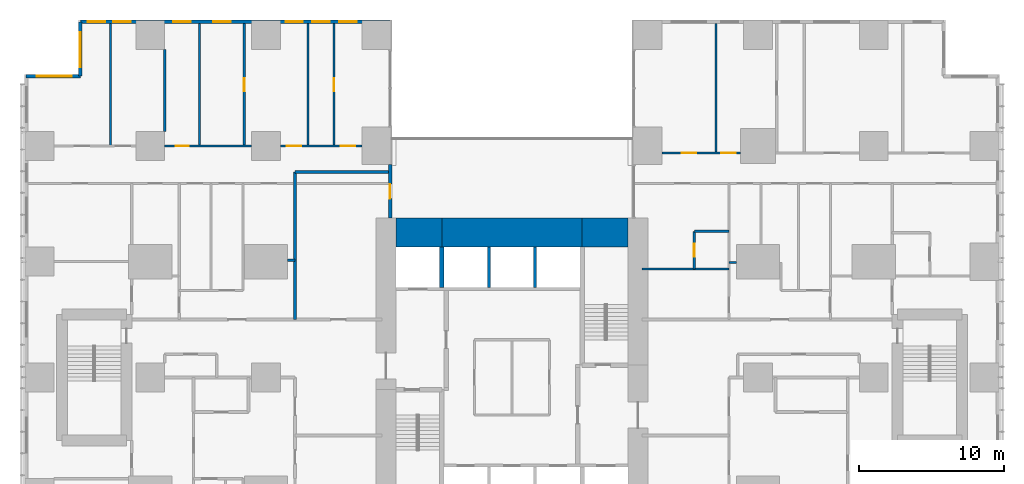
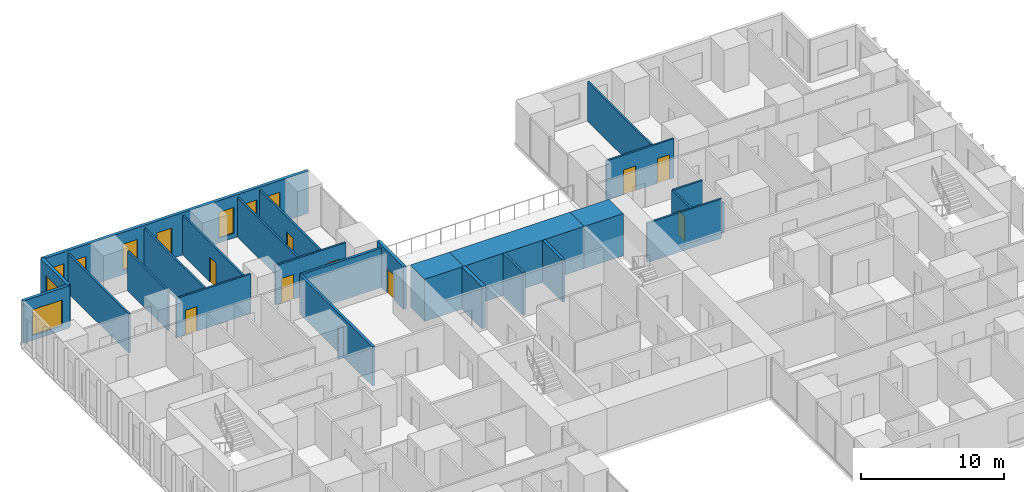
# One storey, part 17 of 20: 27 walls, 9 doors, 9 windows, 18 openings.
"""IFC4 building model written with IfcOpenShell, lengths in metres."""

from ifc_helpers import new_model, si_unit, direction, frame, frame_2d, origin, place, context, subcontext, project, spatial, rectangle, extrude, material, layer, layer_set, type_object, element, fill, save


model = new_model("IFC4")

# Units and contexts
model_context = context("Model", 3, precision=1e-05, world=origin(), true_north=direction((0.0, 1.0)))
body_context = subcontext(model_context, "Body", "Model", "MODEL_VIEW")
ifc_project = project(units=[si_unit("LENGTHUNIT", "METRE"), si_unit("AREAUNIT", "SQUARE_METRE"), si_unit("VOLUMEUNIT", "CUBIC_METRE"), si_unit("PLANEANGLEUNIT", "RADIAN"), si_unit("MASSUNIT", "GRAM", prefix="KILO")], contexts=[model_context])

# Site, building, storey
site_placement = place(None, origin())
site = spatial("IfcSite", under=ifc_project, at=site_placement, CompositionType="ELEMENT")
building_placement = place(site_placement, origin())
building = spatial("IfcBuilding", under=site, at=building_placement, Name="Cleftline Residences", CompositionType="ELEMENT")
storey_placement = place(building_placement, frame((0.0, 0.0, 96.199951171875)))
storey = spatial("IfcBuildingStorey", under=building, at=storey_placement, Name="L24", CompositionType="ELEMENT", Elevation=96.199951171875)

# Walls
ifc_material_1 = material(Name="Concrete B70", Category="concrete")
ifc_layer_1 = layer(ifc_material_1, 2.0)
ifc_layer_set_1 = layer_set([ifc_layer_1], Name="CORE WALL 2000")
wall_type_1 = type_object("IfcWallType", Name="CORE WALL 2000", PredefinedType="SHEAR", material=ifc_layer_set_1)
wall_1_placement = place(storey_placement, frame((25.0, 34.0, 0.0), z_axis=(0.0, 0.0, 1.0), x_axis=(1.0, 0.0, 0.0)))
element("IfcWall", 1, at=wall_1_placement, inside=storey, type_object=wall_type_1, Name="Core wall N1", PredefinedType="SHEAR", context=body_context, shape_type="SweptSolid", body=[
    extrude(rectangle(XDim=3.14990234375, YDim=2.0, at=frame_2d((1.574951171875, 0.0))), origin(), (0.0, 0.0, 1.0), 3.60009765625),
])
wall_2_placement = place(storey_placement, frame((28.14990234375, 34.0, 0.0), z_axis=(0.0, 0.0, 1.0), x_axis=(1.0, 0.0, 0.0)))
element("IfcWall", 2, at=wall_2_placement, inside=storey, type_object=wall_type_1, Name="Core wall N2", PredefinedType="SHEAR", context=body_context, shape_type="SweptSolid", body=[
    extrude(rectangle(XDim=9.7001953125, YDim=2.0, at=frame_2d((4.85009765625, 0.0))), origin(), (0.0, 0.0, 1.0), 3.60009765625),
])
wall_3_placement = place(storey_placement, frame((37.85009765625, 34.0, 0.0), z_axis=(0.0, 0.0, 1.0), x_axis=(1.0, 0.0, 0.0)))
element("IfcWall", 3, at=wall_3_placement, inside=storey, type_object=wall_type_1, Name="Core wall N3", PredefinedType="SHEAR", context=body_context, shape_type="SweptSolid", body=[
    extrude(rectangle(XDim=3.14990234375, YDim=2.0, at=frame_2d((1.574951171875, 0.0))), origin(), (0.0, 0.0, 1.0), 3.60009765625),
])
ifc_material_2 = material(Name="Concrete B70", Category="concrete")
ifc_layer_2 = layer(ifc_material_2, 0.300048828125)
ifc_layer_set_2 = layer_set([ifc_layer_2], Name="CORE WALL 300")
wall_type_2 = type_object("IfcWallType", Name="CORE WALL 300", PredefinedType="SHEAR", material=ifc_layer_set_2)
wall_4_placement = place(storey_placement, frame((28.14990234375, 30.199951171875, 0.0), z_axis=(0.0, 0.0, 1.0), x_axis=(0.0, 1.0, 0.0)))
element("IfcWall", 4, at=wall_4_placement, inside=storey, type_object=wall_type_2, Name="Lift shaft wall", PredefinedType="SHEAR", context=body_context, shape_type="SweptSolid", body=[
    extrude(rectangle(XDim=2.800048828125, YDim=0.300048828125, at=frame_2d((1.39990234375, 0.0))), origin(), (0.0, 0.0, 1.0), 3.60009765625),
])

# Wall, opening, door
ifc_material_3 = material(Name="Rendered reinforced concrete blockwork", Category="masonry")
ifc_layer_3 = layer(ifc_material_3, 0.25)
ifc_layer_set_3 = layer_set([ifc_layer_3], Name="EXTERNAL WALL 250")
wall_type_3 = type_object("IfcWallType", Name="EXTERNAL WALL 250", PredefinedType="SOLIDWALL", material=ifc_layer_set_3)
wall_5_placement = place(storey_placement, frame((24.574951171875, 35.0, 0.0), z_axis=(0.0, 0.0, 1.0), x_axis=(0.0, 1.0, 0.0)))
wall_5 = element("IfcWall", 5, at=wall_5_placement, inside=storey, type_object=wall_type_3, Name="External wall", PredefinedType="SOLIDWALL", context=body_context, shape_type="SweptSolid", body=[
    extrude(rectangle(XDim=3.699951171875, YDim=0.25, at=frame_2d((1.85009765625, 0.0))), origin(), (0.0, 0.0, 1.0), 3.60009765625),
])
opening_1_placement = place(wall_5_placement, frame((1.35009765625, 0.0, 0.0)))
opening_1 = element("IfcOpeningElement", 6, at=opening_1_placement, cuts=wall_5, Name="Opening DM1", PredefinedType="OPENING", context=body_context, shape_type="SweptSolid", body=[
    extrude(rectangle(XDim=1.0, YDim=2.10009765625, at=frame_2d((0.5, 1.050048828125))), frame((0.0, 0.135009765625, 0.0), z_axis=(0.0, -1.0, 0.0), x_axis=(1.0, 0.0, 0.0)), (0.0, 0.0, 1.0), 0.27001953125),
])
ifc_material_4 = material(Name="Galvanised steel, weathersealed", Category="steel")
door_type_1 = type_object("IfcDoorType", Name="MAINTENANCE DOOR 1000X2100", OperationType="SINGLE_SWING_LEFT", PredefinedType="DOOR", material=ifc_material_4)
door_1_placement = place(opening_1_placement, origin())
door_1 = element("IfcDoor", 7, at=door_1_placement, inside=storey, type_object=door_type_1, Name="Roof maintenance door", OperationType="SINGLE_SWING_LEFT", OverallHeight=2.10009765625, OverallWidth=1.0, PredefinedType="DOOR", context=body_context, shape_type="SweptSolid", body=[
    extrude(rectangle(XDim=1.0, YDim=2.10009765625, at=frame_2d((0.5, 1.050048828125))), frame((0.0, 0.02490234375, 0.0), z_axis=(0.0, -1.0, 0.0), x_axis=(1.0, 0.0, 0.0)), (0.0, 0.0, 1.0), 0.050048828125),
])
fill(opening_1, door_1)

# Wall, openings, windows
wall_6_placement = place(storey_placement, frame((24.574951171875, 48.574951171875, 0.0), z_axis=(0.0, 0.0, 1.0), x_axis=(-1.0, 0.0, 0.0)))
wall_6 = element("IfcWall", 8, at=wall_6_placement, inside=storey, type_object=wall_type_3, Name="External wall", PredefinedType="SOLIDWALL", context=body_context, shape_type="SweptSolid", body=[
    extrude(rectangle(XDim=21.39990234375, YDim=0.25, at=frame_2d((10.699951171875, 0.0))), origin(), (0.0, 0.0, 1.0), 3.60009765625),
])
opening_2_placement = place(wall_6_placement, frame((2.300048828125, 0.0, 0.39990234375)))
opening_2 = element("IfcOpeningElement", 9, at=opening_2_placement, cuts=wall_6, Name="Opening W11", PredefinedType="OPENING", context=body_context, shape_type="SweptSolid", body=[
    extrude(rectangle(XDim=1.199951171875, YDim=2.199951171875, at=frame_2d((0.60009765625, 1.10009765625))), frame((0.0, 0.135009765625, 0.0), z_axis=(0.0, -1.0, 0.0), x_axis=(1.0, 0.0, 0.0)), (0.0, 0.0, 1.0), 0.27001953125),
])
opening_3_placement = place(wall_6_placement, frame((4.175048828125, 0.0, 0.39990234375)))
opening_3 = element("IfcOpeningElement", 10, at=opening_3_placement, cuts=wall_6, Name="Opening W11", PredefinedType="OPENING", context=body_context, shape_type="SweptSolid", body=[
    extrude(rectangle(XDim=1.199951171875, YDim=2.199951171875, at=frame_2d((0.60009765625, 1.10009765625))), frame((0.0, 0.135009765625, 0.0), z_axis=(0.0, -1.0, 0.0), x_axis=(1.0, 0.0, 0.0)), (0.0, 0.0, 1.0), 0.27001953125),
])
opening_4_placement = place(wall_6_placement, frame((6.02490234375, 0.0, 0.39990234375)))
opening_4 = element("IfcOpeningElement", 11, at=opening_4_placement, cuts=wall_6, Name="Opening W11", PredefinedType="OPENING", context=body_context, shape_type="SweptSolid", body=[
    extrude(rectangle(XDim=1.199951171875, YDim=2.199951171875, at=frame_2d((0.60009765625, 1.10009765625))), frame((0.0, 0.135009765625, 0.0), z_axis=(0.0, -1.0, 0.0), x_axis=(1.0, 0.0, 0.0)), (0.0, 0.0, 1.0), 0.27001953125),
])
opening_5_placement = place(wall_6_placement, frame((11.02490234375, 0.0, 0.39990234375)))
opening_5 = element("IfcOpeningElement", 12, at=opening_5_placement, cuts=wall_6, Name="Opening W11", PredefinedType="OPENING", context=body_context, shape_type="SweptSolid", body=[
    extrude(rectangle(XDim=1.199951171875, YDim=2.199951171875, at=frame_2d((0.60009765625, 1.10009765625))), frame((0.0, 0.135009765625, 0.0), z_axis=(0.0, -1.0, 0.0), x_axis=(1.0, 0.0, 0.0)), (0.0, 0.0, 1.0), 0.27001953125),
])
opening_6_placement = place(wall_6_placement, frame((13.77490234375, 0.0, 0.39990234375)))
opening_6 = element("IfcOpeningElement", 13, at=opening_6_placement, cuts=wall_6, Name="Opening W11", PredefinedType="OPENING", context=body_context, shape_type="SweptSolid", body=[
    extrude(rectangle(XDim=1.199951171875, YDim=2.199951171875, at=frame_2d((0.60009765625, 1.10009765625))), frame((0.0, 0.135009765625, 0.0), z_axis=(0.0, -1.0, 0.0), x_axis=(1.0, 0.0, 0.0)), (0.0, 0.0, 1.0), 0.27001953125),
])
opening_7_placement = place(wall_6_placement, frame((17.925048828125, 0.0, 0.39990234375)))
opening_7 = element("IfcOpeningElement", 14, at=opening_7_placement, cuts=wall_6, Name="Opening W11", PredefinedType="OPENING", context=body_context, shape_type="SweptSolid", body=[
    extrude(rectangle(XDim=1.199951171875, YDim=2.199951171875, at=frame_2d((0.60009765625, 1.10009765625))), frame((0.0, 0.135009765625, 0.0), z_axis=(0.0, -1.0, 0.0), x_axis=(1.0, 0.0, 0.0)), (0.0, 0.0, 1.0), 0.27001953125),
])
opening_8_placement = place(wall_6_placement, frame((19.699951171875, 0.0, 0.39990234375)))
opening_8 = element("IfcOpeningElement", 15, at=opening_8_placement, cuts=wall_6, Name="Opening W11", PredefinedType="OPENING", context=body_context, shape_type="SweptSolid", body=[
    extrude(rectangle(XDim=1.199951171875, YDim=2.199951171875, at=frame_2d((0.60009765625, 1.10009765625))), frame((0.0, 0.135009765625, 0.0), z_axis=(0.0, -1.0, 0.0), x_axis=(1.0, 0.0, 0.0)), (0.0, 0.0, 1.0), 0.27001953125),
])
ifc_material_5 = material(Name="Aluminium frame, clear double glazing", Category="aluminium")
window_type_1 = type_object("IfcWindowType", Name="WINDOW 1200X2200", PartitioningType="DOUBLE_PANEL_VERTICAL", PredefinedType="WINDOW", material=ifc_material_5)
window_1_placement = place(opening_2_placement, origin())
window_1 = element("IfcWindow", 16, at=window_1_placement, inside=storey, type_object=window_type_1, Name="Window", OverallHeight=2.199951171875, OverallWidth=1.199951171875, PartitioningType="SINGLE_PANEL", PredefinedType="WINDOW", context=body_context, shape_type="SweptSolid", body=[
    extrude(rectangle(XDim=1.199951171875, YDim=2.199951171875, at=frame_2d((0.60009765625, 1.10009765625))), frame((0.0, 0.030029296875, 0.0), z_axis=(0.0, -1.0, 0.0), x_axis=(1.0, 0.0, 0.0)), (0.0, 0.0, 1.0), 0.06005859375),
])
fill(opening_2, window_1)
window_2_placement = place(opening_3_placement, origin())
window_2 = element("IfcWindow", 17, at=window_2_placement, inside=storey, type_object=window_type_1, Name="Window", OverallHeight=2.199951171875, OverallWidth=1.199951171875, PartitioningType="SINGLE_PANEL", PredefinedType="WINDOW", context=body_context, shape_type="SweptSolid", body=[
    extrude(rectangle(XDim=1.199951171875, YDim=2.199951171875, at=frame_2d((0.60009765625, 1.10009765625))), frame((0.0, 0.030029296875, 0.0), z_axis=(0.0, -1.0, 0.0), x_axis=(1.0, 0.0, 0.0)), (0.0, 0.0, 1.0), 0.06005859375),
])
fill(opening_3, window_2)
window_3_placement = place(opening_4_placement, origin())
window_3 = element("IfcWindow", 18, at=window_3_placement, inside=storey, type_object=window_type_1, Name="Window", OverallHeight=2.199951171875, OverallWidth=1.199951171875, PartitioningType="SINGLE_PANEL", PredefinedType="WINDOW", context=body_context, shape_type="SweptSolid", body=[
    extrude(rectangle(XDim=1.199951171875, YDim=2.199951171875, at=frame_2d((0.60009765625, 1.10009765625))), frame((0.0, 0.030029296875, 0.0), z_axis=(0.0, -1.0, 0.0), x_axis=(1.0, 0.0, 0.0)), (0.0, 0.0, 1.0), 0.06005859375),
])
fill(opening_4, window_3)
window_4_placement = place(opening_5_placement, origin())
window_4 = element("IfcWindow", 19, at=window_4_placement, inside=storey, type_object=window_type_1, Name="Window", OverallHeight=2.199951171875, OverallWidth=1.199951171875, PartitioningType="SINGLE_PANEL", PredefinedType="WINDOW", context=body_context, shape_type="SweptSolid", body=[
    extrude(rectangle(XDim=1.199951171875, YDim=2.199951171875, at=frame_2d((0.60009765625, 1.10009765625))), frame((0.0, 0.030029296875, 0.0), z_axis=(0.0, -1.0, 0.0), x_axis=(1.0, 0.0, 0.0)), (0.0, 0.0, 1.0), 0.06005859375),
])
fill(opening_5, window_4)
window_5_placement = place(opening_6_placement, origin())
window_5 = element("IfcWindow", 20, at=window_5_placement, inside=storey, type_object=window_type_1, Name="Window", OverallHeight=2.199951171875, OverallWidth=1.199951171875, PartitioningType="SINGLE_PANEL", PredefinedType="WINDOW", context=body_context, shape_type="SweptSolid", body=[
    extrude(rectangle(XDim=1.199951171875, YDim=2.199951171875, at=frame_2d((0.60009765625, 1.10009765625))), frame((0.0, 0.030029296875, 0.0), z_axis=(0.0, -1.0, 0.0), x_axis=(1.0, 0.0, 0.0)), (0.0, 0.0, 1.0), 0.06005859375),
])
fill(opening_6, window_5)
window_6_placement = place(opening_7_placement, origin())
window_6 = element("IfcWindow", 21, at=window_6_placement, inside=storey, type_object=window_type_1, Name="Window", OverallHeight=2.199951171875, OverallWidth=1.199951171875, PartitioningType="SINGLE_PANEL", PredefinedType="WINDOW", context=body_context, shape_type="SweptSolid", body=[
    extrude(rectangle(XDim=1.199951171875, YDim=2.199951171875, at=frame_2d((0.60009765625, 1.10009765625))), frame((0.0, 0.030029296875, 0.0), z_axis=(0.0, -1.0, 0.0), x_axis=(1.0, 0.0, 0.0)), (0.0, 0.0, 1.0), 0.06005859375),
])
fill(opening_7, window_6)
window_7_placement = place(opening_8_placement, origin())
window_7 = element("IfcWindow", 22, at=window_7_placement, inside=storey, type_object=window_type_1, Name="Window", OverallHeight=2.199951171875, OverallWidth=1.199951171875, PartitioningType="SINGLE_PANEL", PredefinedType="WINDOW", context=body_context, shape_type="SweptSolid", body=[
    extrude(rectangle(XDim=1.199951171875, YDim=2.199951171875, at=frame_2d((0.60009765625, 1.10009765625))), frame((0.0, 0.030029296875, 0.0), z_axis=(0.0, -1.0, 0.0), x_axis=(1.0, 0.0, 0.0)), (0.0, 0.0, 1.0), 0.06005859375),
])
fill(opening_8, window_7)

# Wall, opening, window
wall_7_placement = place(storey_placement, frame((3.175048828125, 48.574951171875, 0.0), z_axis=(0.0, 0.0, 1.0), x_axis=(0.0, -1.0, 0.0)))
wall_7 = element("IfcWall", 23, at=wall_7_placement, inside=storey, type_object=wall_type_3, Name="External wall", PredefinedType="SOLIDWALL", context=body_context, shape_type="SweptSolid", body=[
    extrude(rectangle(XDim=3.75, YDim=0.25, at=frame_2d((1.875, 0.0))), origin(), (0.0, 0.0, 1.0), 3.60009765625),
])
opening_9_placement = place(wall_7_placement, frame((0.737548828125, 0.0, 0.39990234375)))
opening_9 = element("IfcOpeningElement", 24, at=opening_9_placement, cuts=wall_7, Name="Opening W12", PredefinedType="OPENING", context=body_context, shape_type="SweptSolid", body=[
    extrude(rectangle(XDim=2.39990234375, YDim=2.199951171875, at=frame_2d((1.199951171875, 1.10009765625))), frame((0.0, 0.135009765625, 0.0), z_axis=(0.0, -1.0, 0.0), x_axis=(1.0, 0.0, 0.0)), (0.0, 0.0, 1.0), 0.27001953125),
])
ifc_material_6 = material(Name="Aluminium frame, clear double glazing", Category="aluminium")
window_type_2 = type_object("IfcWindowType", Name="WINDOW 2400X2200", PartitioningType="DOUBLE_PANEL_VERTICAL", PredefinedType="WINDOW", material=ifc_material_6)
window_8_placement = place(opening_9_placement, origin())
window_8 = element("IfcWindow", 25, at=window_8_placement, inside=storey, type_object=window_type_2, Name="Window", OverallHeight=2.199951171875, OverallWidth=2.39990234375, PartitioningType="SINGLE_PANEL", PredefinedType="WINDOW", context=body_context, shape_type="SweptSolid", body=[
    extrude(rectangle(XDim=2.39990234375, YDim=2.199951171875, at=frame_2d((1.199951171875, 1.10009765625))), frame((0.0, 0.030029296875, 0.0), z_axis=(0.0, -1.0, 0.0), x_axis=(1.0, 0.0, 0.0)), (0.0, 0.0, 1.0), 0.06005859375),
])
fill(opening_9, window_8)

wall_8_placement = place(storey_placement, frame((3.175048828125, 44.824951171875, 0.0), z_axis=(0.0, 0.0, 1.0), x_axis=(-1.0, 0.0, 0.0)))
wall_8 = element("IfcWall", 26, at=wall_8_placement, inside=storey, type_object=wall_type_3, Name="External wall", PredefinedType="SOLIDWALL", context=body_context, shape_type="SweptSolid", body=[
    extrude(rectangle(XDim=3.75, YDim=0.25, at=frame_2d((1.875, 0.0))), origin(), (0.0, 0.0, 1.0), 3.60009765625),
])
opening_10_placement = place(wall_8_placement, frame((0.612548828125, 0.0, 0.39990234375)))
opening_10 = element("IfcOpeningElement", 27, at=opening_10_placement, cuts=wall_8, Name="Opening W12", PredefinedType="OPENING", context=body_context, shape_type="SweptSolid", body=[
    extrude(rectangle(XDim=2.39990234375, YDim=2.199951171875, at=frame_2d((1.199951171875, 1.10009765625))), frame((0.0, 0.135009765625, 0.0), z_axis=(0.0, -1.0, 0.0), x_axis=(1.0, 0.0, 0.0)), (0.0, 0.0, 1.0), 0.27001953125),
])
window_9_placement = place(opening_10_placement, origin())
window_9 = element("IfcWindow", 28, at=window_9_placement, inside=storey, type_object=window_type_2, Name="Window", OverallHeight=2.199951171875, OverallWidth=2.39990234375, PartitioningType="SINGLE_PANEL", PredefinedType="WINDOW", context=body_context, shape_type="SweptSolid", body=[
    extrude(rectangle(XDim=2.39990234375, YDim=2.199951171875, at=frame_2d((1.199951171875, 1.10009765625))), frame((0.0, 0.030029296875, 0.0), z_axis=(0.0, -1.0, 0.0), x_axis=(1.0, 0.0, 0.0)), (0.0, 0.0, 1.0), 0.06005859375),
])
fill(opening_10, window_9)

# Walls
ifc_material_7 = material(Name="Concrete blockwork, fire rated", Category="masonry")
ifc_layer_4 = layer(ifc_material_7, 0.199951171875)
ifc_layer_set_4 = layer_set([ifc_layer_4], Name="FIRE WALL 200")
wall_type_4 = type_object("IfcWallType", Name="FIRE WALL 200", PredefinedType="PARTITIONING", material=ifc_layer_set_4)
wall_9_placement = place(storey_placement, frame((18.0, 38.199951171875, 0.0), z_axis=(0.0, 0.0, 1.0), x_axis=(1.0, 0.0, 0.0)))
element("IfcWall", 29, at=wall_9_placement, inside=storey, type_object=wall_type_4, Name="Fire separating wall", PredefinedType="PARTITIONING", context=body_context, shape_type="SweptSolid", body=[
    extrude(rectangle(XDim=6.449951171875, YDim=0.199951171875, at=frame_2d((3.22509765625, 0.0))), origin(), (0.0, 0.0, 1.0), 3.35009765625),
])
wall_10_placement = place(storey_placement, frame((18.0, 28.0, 0.0), z_axis=(0.0, 0.0, 1.0), x_axis=(0.0, 1.0, 0.0)))
element("IfcWall", 30, at=wall_10_placement, inside=storey, type_object=wall_type_4, Name="Fire separating wall", PredefinedType="PARTITIONING", context=body_context, shape_type="SweptSolid", body=[
    extrude(rectangle(XDim=10.199951171875, YDim=0.199951171875, at=frame_2d((5.10009765625, 0.0))), origin(), (0.0, 0.0, 1.0), 3.35009765625),
])
ifc_material_8 = material(Name="Gypsum board on steel studs", Category="steel")
ifc_layer_5 = layer(ifc_material_8, 0.14990234375)
ifc_layer_set_5 = layer_set([ifc_layer_5], Name="PARTITION 150")
wall_type_5 = type_object("IfcWallType", Name="PARTITION 150", PredefinedType="PARTITIONING", material=ifc_layer_set_5)
wall_11_placement = place(storey_placement, frame((42.0, 31.5, 0.0), z_axis=(0.0, 0.0, 1.0), x_axis=(1.0, 0.0, 0.0)))
element("IfcWall", 31, at=wall_11_placement, inside=storey, type_object=wall_type_5, Name="Partition", PredefinedType="PARTITIONING", context=body_context, shape_type="SweptSolid", body=[
    extrude(rectangle(XDim=6.0, YDim=0.14990234375, at=frame_2d((3.0, 0.0))), origin(), (0.0, 0.0, 1.0), 3.35009765625),
])
for number, where, z_axis, x_axis, name in (
    (32, (48.0, 31.949951171875, 0.0), (0.0, 0.0, 1.0), (1.0, 0.0, 0.0), "Partition"),
    (33, (17.5, 32.10009765625, 0.0), (0.0, 0.0, 1.0), (1.0, 0.0, 0.0), "Partition"),
):
    element("IfcWall", number, at=place(storey_placement, frame(where, z_axis=z_axis, x_axis=x_axis)), inside=storey, type_object=wall_type_5, Name=name, PredefinedType="PARTITIONING", context=body_context, shape_type="SweptSolid", body=[
        extrude(rectangle(XDim=0.5, YDim=0.14990234375, at=frame_2d((0.25, 0.0))), origin(), (0.0, 0.0, 1.0), 2.634033203125),
    ])
wall_12_placement = place(storey_placement, frame((45.60009765625, 34.10009765625, 0.0), z_axis=(0.0, 0.0, 1.0), x_axis=(1.0, 0.0, 0.0)))
element("IfcWall", 34, at=wall_12_placement, inside=storey, type_object=wall_type_5, Name="Partition", PredefinedType="PARTITIONING", context=body_context, shape_type="SweptSolid", body=[
    extrude(rectangle(XDim=2.39990234375, YDim=0.14990234375, at=frame_2d((1.199951171875, 0.0))), origin(), (0.0, 0.0, 1.0), 3.35009765625),
])

# Wall, openings, doors
wall_13_placement = place(storey_placement, frame((43.35009765625, 39.5, 0.0), z_axis=(0.0, 0.0, 1.0), x_axis=(1.0, 0.0, 0.0)))
wall_13 = element("IfcWall", 35, at=wall_13_placement, inside=storey, type_object=wall_type_5, Name="Partition", PredefinedType="PARTITIONING", context=body_context, shape_type="SweptSolid", body=[
    extrude(rectangle(XDim=5.449951171875, YDim=0.14990234375, at=frame_2d((2.72509765625, 0.0))), origin(), (0.0, 0.0, 1.0), 3.35009765625),
])
opening_11_placement = place(wall_13_placement, frame((4.10009765625, 0.0, 0.0)))
opening_11 = element("IfcOpeningElement", 36, at=opening_11_placement, cuts=wall_13, Name="Opening D2", PredefinedType="OPENING", context=body_context, shape_type="SweptSolid", body=[
    extrude(rectangle(XDim=1.0, YDim=2.10009765625, at=frame_2d((0.5, 1.050048828125))), frame((0.0, 0.0849609375, 0.0), z_axis=(0.0, -1.0, 0.0), x_axis=(1.0, 0.0, 0.0)), (0.0, 0.0, 1.0), 0.169921875),
])
opening_12_placement = place(wall_13_placement, frame((1.375, 0.0, 0.0)))
opening_12 = element("IfcOpeningElement", 37, at=opening_12_placement, cuts=wall_13, Name="Opening D2", PredefinedType="OPENING", context=body_context, shape_type="SweptSolid", body=[
    extrude(rectangle(XDim=1.0, YDim=2.10009765625, at=frame_2d((0.5, 1.050048828125))), frame((0.0, 0.0849609375, 0.0), z_axis=(0.0, -1.0, 0.0), x_axis=(1.0, 0.0, 0.0)), (0.0, 0.0, 1.0), 0.169921875),
])
ifc_material_9 = material(Name="Timber veneer on solid core", Category="wood")
door_type_2 = type_object("IfcDoorType", Name="DOOR 1000X2100", OperationType="SINGLE_SWING_LEFT", PredefinedType="DOOR", material=ifc_material_9)
door_2_placement = place(opening_11_placement, origin())
door_2 = element("IfcDoor", 38, at=door_2_placement, inside=storey, type_object=door_type_2, Name="Door to bedroom 2", OperationType="SINGLE_SWING_LEFT", OverallHeight=2.10009765625, OverallWidth=1.0, PredefinedType="DOOR", context=body_context, shape_type="SweptSolid", body=[
    extrude(rectangle(XDim=1.0, YDim=2.10009765625, at=frame_2d((0.5, 1.050048828125))), frame((0.0, 0.02490234375, 0.0), z_axis=(0.0, -1.0, 0.0), x_axis=(1.0, 0.0, 0.0)), (0.0, 0.0, 1.0), 0.050048828125),
])
fill(opening_11, door_2)
door_3_placement = place(opening_12_placement, origin())
door_3 = element("IfcDoor", 39, at=door_3_placement, inside=storey, type_object=door_type_2, Name="Door to bedroom 2 sitting room", OperationType="SINGLE_SWING_RIGHT", OverallHeight=2.10009765625, OverallWidth=1.0, PredefinedType="DOOR", context=body_context, shape_type="SweptSolid", body=[
    extrude(rectangle(XDim=1.0, YDim=2.10009765625, at=frame_2d((0.5, 1.050048828125))), frame((0.0, 0.02490234375, 0.0), z_axis=(0.0, -1.0, 0.0), x_axis=(1.0, 0.0, 0.0)), (0.0, 0.0, 1.0), 0.050048828125),
])
fill(opening_12, door_3)

# Wall, opening, door
wall_14_placement = place(storey_placement, frame((9.0, 40.0, 0.0), z_axis=(0.0, 0.0, 1.0), x_axis=(1.0, 0.0, 0.0)))
wall_14 = element("IfcWall", 40, at=wall_14_placement, inside=storey, type_object=wall_type_5, Name="Partition", PredefinedType="PARTITIONING", context=body_context, shape_type="SweptSolid", body=[
    extrude(rectangle(XDim=6.0, YDim=0.14990234375, at=frame_2d((3.0, 0.0))), origin(), (0.0, 0.0, 1.0), 3.35009765625),
])
opening_13_placement = place(wall_14_placement, frame((0.75, 0.0, 0.0)))
opening_13 = element("IfcOpeningElement", 41, at=opening_13_placement, cuts=wall_14, Name="Opening D1", PredefinedType="OPENING", context=body_context, shape_type="SweptSolid", body=[
    extrude(rectangle(XDim=0.89990234375, YDim=2.10009765625, at=frame_2d((0.449951171875, 1.050048828125))), frame((0.0, 0.0849609375, 0.0), z_axis=(0.0, -1.0, 0.0), x_axis=(1.0, 0.0, 0.0)), (0.0, 0.0, 1.0), 0.169921875),
])
ifc_material_10 = material(Name="Timber veneer on solid core", Category="wood")
door_type_3 = type_object("IfcDoorType", Name="DOOR 900X2100", OperationType="SINGLE_SWING_LEFT", PredefinedType="DOOR", material=ifc_material_10)
door_4_placement = place(opening_13_placement, origin())
door_4 = element("IfcDoor", 42, at=door_4_placement, inside=storey, type_object=door_type_3, Name="Door to master dressing room", OperationType="SINGLE_SWING_RIGHT", OverallHeight=2.10009765625, OverallWidth=0.89990234375, PredefinedType="DOOR", context=body_context, shape_type="SweptSolid", body=[
    extrude(rectangle(XDim=0.89990234375, YDim=2.10009765625, at=frame_2d((0.449951171875, 1.050048828125))), frame((0.0, 0.02490234375, 0.0), z_axis=(0.0, -1.0, 0.0), x_axis=(1.0, 0.0, 0.0)), (0.0, 0.0, 1.0), 0.050048828125),
])
fill(opening_13, door_4)

# Wall, openings, doors
wall_15_placement = place(storey_placement, frame((17.0, 40.0, 0.0), z_axis=(0.0, 0.0, 1.0), x_axis=(1.0, 0.0, 0.0)))
wall_15 = element("IfcWall", 43, at=wall_15_placement, inside=storey, type_object=wall_type_5, Name="Partition", PredefinedType="PARTITIONING", context=body_context, shape_type="SweptSolid", body=[
    extrude(rectangle(XDim=5.64990234375, YDim=0.14990234375, at=frame_2d((2.824951171875, 0.0))), origin(), (0.0, 0.0, 1.0), 3.35009765625),
])
opening_14_placement = place(wall_15_placement, frame((0.449951171875, 0.0, 0.0)))
opening_14 = element("IfcOpeningElement", 44, at=opening_14_placement, cuts=wall_15, Name="Opening D2", PredefinedType="OPENING", context=body_context, shape_type="SweptSolid", body=[
    extrude(rectangle(XDim=1.0, YDim=2.10009765625, at=frame_2d((0.5, 1.050048828125))), frame((0.0, 0.0849609375, 0.0), z_axis=(0.0, -1.0, 0.0), x_axis=(1.0, 0.0, 0.0)), (0.0, 0.0, 1.0), 0.169921875),
])
opening_15_placement = place(wall_15_placement, frame((4.175048828125, 0.0, 0.0)))
opening_15 = element("IfcOpeningElement", 45, at=opening_15_placement, cuts=wall_15, Name="Opening D2", PredefinedType="OPENING", context=body_context, shape_type="SweptSolid", body=[
    extrude(rectangle(XDim=1.0, YDim=2.10009765625, at=frame_2d((0.5, 1.050048828125))), frame((0.0, 0.0849609375, 0.0), z_axis=(0.0, -1.0, 0.0), x_axis=(1.0, 0.0, 0.0)), (0.0, 0.0, 1.0), 0.169921875),
])
door_5_placement = place(opening_14_placement, origin())
door_5 = element("IfcDoor", 46, at=door_5_placement, inside=storey, type_object=door_type_2, Name="Door to bedroom 2", OperationType="SINGLE_SWING_RIGHT", OverallHeight=2.10009765625, OverallWidth=1.0, PredefinedType="DOOR", context=body_context, shape_type="SweptSolid", body=[
    extrude(rectangle(XDim=1.0, YDim=2.10009765625, at=frame_2d((0.5, 1.050048828125))), frame((0.0, 0.02490234375, 0.0), z_axis=(0.0, -1.0, 0.0), x_axis=(1.0, 0.0, 0.0)), (0.0, 0.0, 1.0), 0.050048828125),
])
fill(opening_14, door_5)
door_6_placement = place(opening_15_placement, origin())
door_6 = element("IfcDoor", 47, at=door_6_placement, inside=storey, type_object=door_type_2, Name="Door to bedroom 3", OperationType="SINGLE_SWING_LEFT", OverallHeight=2.10009765625, OverallWidth=1.0, PredefinedType="DOOR", context=body_context, shape_type="SweptSolid", body=[
    extrude(rectangle(XDim=1.0, YDim=2.10009765625, at=frame_2d((0.5, 1.050048828125))), frame((0.0, 0.02490234375, 0.0), z_axis=(0.0, -1.0, 0.0), x_axis=(1.0, 0.0, 0.0)), (0.0, 0.0, 1.0), 0.050048828125),
])
fill(opening_15, door_6)

# Walls
wall_16_placement = place(storey_placement, frame((5.25, 40.0, 0.0), z_axis=(0.0, 0.0, 1.0), x_axis=(0.0, 1.0, 0.0)))
element("IfcWall", 48, at=wall_16_placement, inside=storey, type_object=wall_type_5, Name="Partition", PredefinedType="PARTITIONING", context=body_context, shape_type="SweptSolid", body=[
    extrude(rectangle(XDim=8.449951171875, YDim=0.14990234375, at=frame_2d((4.22509765625, 0.0))), origin(), (0.0, 0.0, 1.0), 3.35009765625),
])
wall_17_placement = place(storey_placement, frame((9.0, 41.0, 0.0), z_axis=(0.0, 0.0, 1.0), x_axis=(0.0, 1.0, 0.0)))
element("IfcWall", 49, at=wall_17_placement, inside=storey, type_object=wall_type_5, Name="Partition", PredefinedType="PARTITIONING", context=body_context, shape_type="SweptSolid", body=[
    extrude(rectangle(XDim=5.64990234375, YDim=0.14990234375, at=frame_2d((2.824951171875, 0.0))), origin(), (0.0, 0.0, 1.0), 3.35009765625),
])
wall_18_placement = place(storey_placement, frame((11.39990234375, 40.0, 0.0), z_axis=(0.0, 0.0, 1.0), x_axis=(0.0, 1.0, 0.0)))
element("IfcWall", 50, at=wall_18_placement, inside=storey, type_object=wall_type_5, Name="Partition", PredefinedType="PARTITIONING", context=body_context, shape_type="SweptSolid", body=[
    extrude(rectangle(XDim=8.449951171875, YDim=0.14990234375, at=frame_2d((4.22509765625, 0.0))), origin(), (0.0, 0.0, 1.0), 3.35009765625),
])

# Wall, opening, door
wall_19_placement = place(storey_placement, frame((14.5, 40.0, 0.0), z_axis=(0.0, 0.0, 1.0), x_axis=(0.0, 1.0, 0.0)))
wall_19 = element("IfcWall", 51, at=wall_19_placement, inside=storey, type_object=wall_type_5, Name="Partition", PredefinedType="PARTITIONING", context=body_context, shape_type="SweptSolid", body=[
    extrude(rectangle(XDim=8.449951171875, YDim=0.14990234375, at=frame_2d((4.22509765625, 0.0))), origin(), (0.0, 0.0, 1.0), 3.35009765625),
])
opening_16_placement = place(wall_19_placement, frame((3.77490234375, 0.0, 0.0)))
opening_16 = element("IfcOpeningElement", 52, at=opening_16_placement, cuts=wall_19, Name="Opening D1", PredefinedType="OPENING", context=body_context, shape_type="SweptSolid", body=[
    extrude(rectangle(XDim=0.89990234375, YDim=2.10009765625, at=frame_2d((0.449951171875, 1.050048828125))), frame((0.0, 0.0849609375, 0.0), z_axis=(0.0, -1.0, 0.0), x_axis=(1.0, 0.0, 0.0)), (0.0, 0.0, 1.0), 0.169921875),
])
door_7_placement = place(opening_16_placement, origin())
door_7 = element("IfcDoor", 53, at=door_7_placement, inside=storey, type_object=door_type_3, Name="Door to en-suite bathroom 2", OperationType="SINGLE_SWING_LEFT", OverallHeight=2.10009765625, OverallWidth=0.89990234375, PredefinedType="DOOR", context=body_context, shape_type="SweptSolid", body=[
    extrude(rectangle(XDim=0.89990234375, YDim=2.10009765625, at=frame_2d((0.449951171875, 1.050048828125))), frame((0.0, 0.02490234375, 0.0), z_axis=(0.0, -1.0, 0.0), x_axis=(1.0, 0.0, 0.0)), (0.0, 0.0, 1.0), 0.050048828125),
])
fill(opening_16, door_7)

# Wall
wall_20_placement = place(storey_placement, frame((18.89990234375, 40.0, 0.0), z_axis=(0.0, 0.0, 1.0), x_axis=(0.0, 1.0, 0.0)))
element("IfcWall", 54, at=wall_20_placement, inside=storey, type_object=wall_type_5, Name="Partition", PredefinedType="PARTITIONING", context=body_context, shape_type="SweptSolid", body=[
    extrude(rectangle(XDim=8.449951171875, YDim=0.14990234375, at=frame_2d((4.22509765625, 0.0))), origin(), (0.0, 0.0, 1.0), 3.35009765625),
])

# Wall, opening, door
wall_21_placement = place(storey_placement, frame((20.699951171875, 40.0, 0.0), z_axis=(0.0, 0.0, 1.0), x_axis=(0.0, 1.0, 0.0)))
wall_21 = element("IfcWall", 55, at=wall_21_placement, inside=storey, type_object=wall_type_5, Name="Partition", PredefinedType="PARTITIONING", context=body_context, shape_type="SweptSolid", body=[
    extrude(rectangle(XDim=8.449951171875, YDim=0.14990234375, at=frame_2d((4.22509765625, 0.0))), origin(), (0.0, 0.0, 1.0), 3.35009765625),
])
opening_17_placement = place(wall_21_placement, frame((3.77490234375, 0.0, 0.0)))
opening_17 = element("IfcOpeningElement", 56, at=opening_17_placement, cuts=wall_21, Name="Opening D1", PredefinedType="OPENING", context=body_context, shape_type="SweptSolid", body=[
    extrude(rectangle(XDim=0.89990234375, YDim=2.10009765625, at=frame_2d((0.449951171875, 1.050048828125))), frame((0.0, 0.0849609375, 0.0), z_axis=(0.0, -1.0, 0.0), x_axis=(1.0, 0.0, 0.0)), (0.0, 0.0, 1.0), 0.169921875),
])
door_8_placement = place(opening_17_placement, origin())
door_8 = element("IfcDoor", 57, at=door_8_placement, inside=storey, type_object=door_type_3, Name="Door to en-suite bathroom 3", OperationType="SINGLE_SWING_LEFT", OverallHeight=2.10009765625, OverallWidth=0.89990234375, PredefinedType="DOOR", context=body_context, shape_type="SweptSolid", body=[
    extrude(rectangle(XDim=0.89990234375, YDim=2.10009765625, at=frame_2d((0.449951171875, 1.050048828125))), frame((0.0, 0.02490234375, 0.0), z_axis=(0.0, -1.0, 0.0), x_axis=(1.0, 0.0, 0.0)), (0.0, 0.0, 1.0), 0.050048828125),
])
fill(opening_17, door_8)

wall_22_placement = place(storey_placement, frame((45.60009765625, 31.5, 0.0), z_axis=(0.0, 0.0, 1.0), x_axis=(0.0, 1.0, 0.0)))
wall_22 = element("IfcWall", 58, at=wall_22_placement, inside=storey, type_object=wall_type_5, Name="Partition", PredefinedType="PARTITIONING", context=body_context, shape_type="SweptSolid", body=[
    extrude(rectangle(XDim=2.60009765625, YDim=0.14990234375, at=frame_2d((1.300048828125, 0.0))), origin(), (0.0, 0.0, 1.0), 3.35009765625),
])
opening_18_placement = place(wall_22_placement, frame((0.85009765625, 0.0, 0.0)))
opening_18 = element("IfcOpeningElement", 59, at=opening_18_placement, cuts=wall_22, Name="Opening D1", PredefinedType="OPENING", context=body_context, shape_type="SweptSolid", body=[
    extrude(rectangle(XDim=0.89990234375, YDim=2.10009765625, at=frame_2d((0.449951171875, 1.050048828125))), frame((0.0, 0.0849609375, 0.0), z_axis=(0.0, -1.0, 0.0), x_axis=(1.0, 0.0, 0.0)), (0.0, 0.0, 1.0), 0.169921875),
])
door_9_placement = place(opening_18_placement, origin())
door_9 = element("IfcDoor", 60, at=door_9_placement, inside=storey, type_object=door_type_3, Name="Door to en-suite bathroom 3", OperationType="SINGLE_SWING_LEFT", OverallHeight=2.10009765625, OverallWidth=0.89990234375, PredefinedType="DOOR", context=body_context, shape_type="SweptSolid", body=[
    extrude(rectangle(XDim=0.89990234375, YDim=2.10009765625, at=frame_2d((0.449951171875, 1.050048828125))), frame((0.0, 0.02490234375, 0.0), z_axis=(0.0, -1.0, 0.0), x_axis=(1.0, 0.0, 0.0)), (0.0, 0.0, 1.0), 0.050048828125),
])
fill(opening_18, door_9)

# Walls
wall_23_placement = place(storey_placement, frame((47.10009765625, 39.5, 0.0), z_axis=(0.0, 0.0, 1.0), x_axis=(0.0, 1.0, 0.0)))
element("IfcWall", 61, at=wall_23_placement, inside=storey, type_object=wall_type_5, Name="Partition", PredefinedType="PARTITIONING", context=body_context, shape_type="SweptSolid", body=[
    extrude(rectangle(XDim=8.949951171875, YDim=0.14990234375, at=frame_2d((4.47509765625, 0.0))), origin(), (0.0, 0.0, 1.0), 3.35009765625),
])
ifc_material_11 = material(Name="Concrete blockwork, fire rated", Category="masonry")
ifc_layer_6 = layer(ifc_material_11, 0.199951171875)
ifc_layer_set_6 = layer_set([ifc_layer_6], Name="SHAFT WALL 200")
wall_type_6 = type_object("IfcWallType", Name="SHAFT WALL 200", PredefinedType="PARTITIONING", material=ifc_layer_set_6)
for number, where, z_axis, x_axis, name in (
    (62, (31.39990234375, 30.199951171875, 0.0), (0.0, 0.0, 1.0), (0.0, 1.0, 0.0), "Lift shaft wall"),
    (63, (34.60009765625, 30.199951171875, 0.0), (0.0, 0.0, 1.0), (0.0, 1.0, 0.0), "Lift shaft wall"),
):
    element("IfcWall", number, at=place(storey_placement, frame(where, z_axis=z_axis, x_axis=x_axis)), inside=storey, type_object=wall_type_6, Name=name, PredefinedType="PARTITIONING", context=body_context, shape_type="SweptSolid", body=[
        extrude(rectangle(XDim=2.800048828125, YDim=0.199951171875, at=frame_2d((1.39990234375, 0.0))), origin(), (0.0, 0.0, 1.0), 3.60009765625),
    ])

save(model, "model.ifc")
